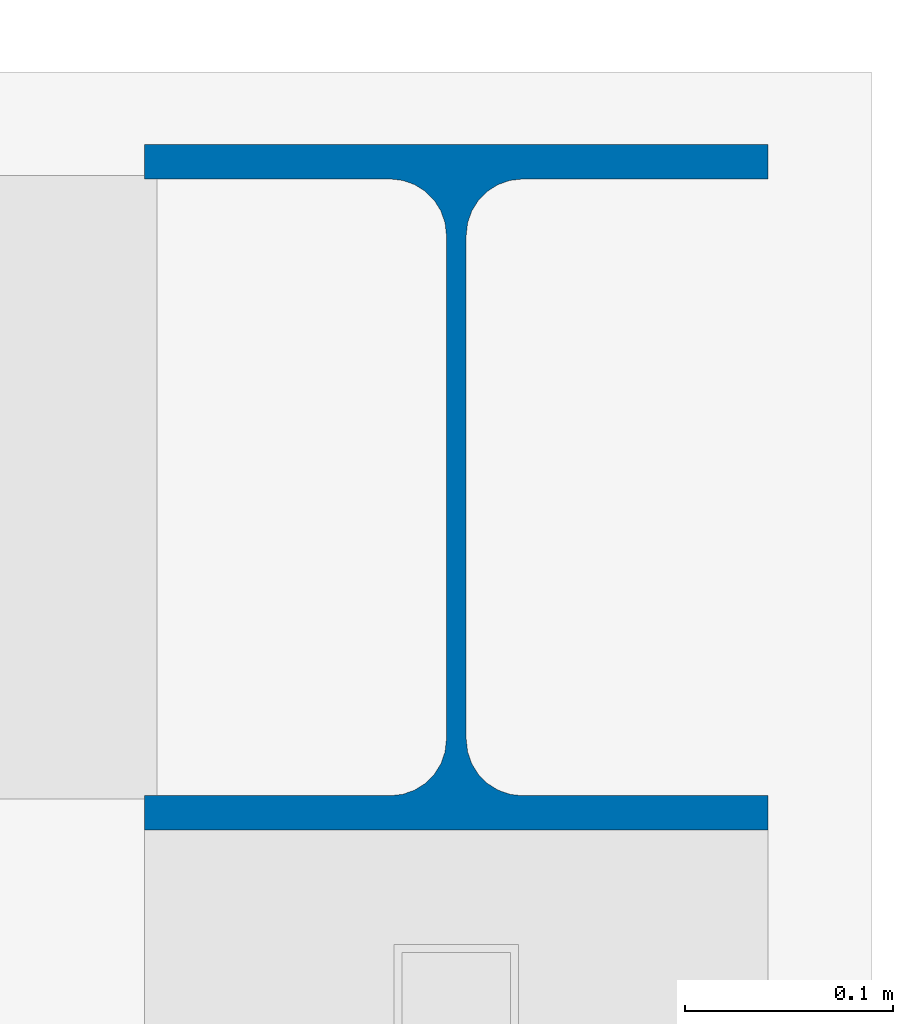
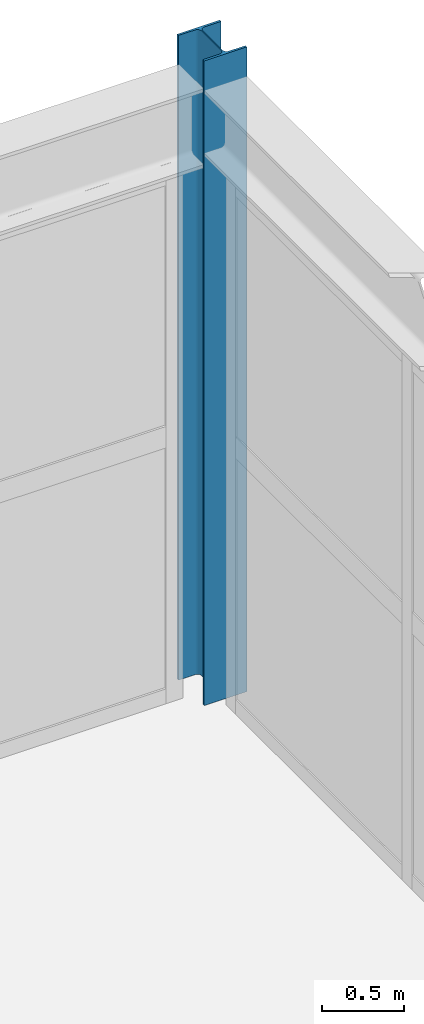
# One storey, part 10 of 112: 1 column.
"""IFC4 building model written with IfcOpenShell, lengths in metres."""

import ifcopenshell
import ifcopenshell.guid

model = None  # the IFC model being written
_history = None  # IfcOwnerHistory: only IFC2X3 demands one
_inside = {}  # id of a spatial element -> (the spatial element, [elements in it])
_under = {}  # id of a project, library or spatial element -> (it, [spatial elements below it])
_declared = {}  # id of a project -> (the project, [libraries it declares])
_typed = {}  # id of a type object -> (the type object, [elements of that type])
_made_of = {}  # id of a material, layer set ... -> (it, [elements and type objects made of it])


def new_model(schema):
    """Start an empty IFC model of exactly this schema.

    Asked for "IFC4X3", IfcOpenShell would pick the latest addendum, in which some entities
    have other attributes; the version numbers below select the first issue.
    IFC2X3 requires an IfcOwnerHistory on every rooted entity: one is made here for all.
    """
    global model, _history
    if schema == "IFC4X3":
        model = ifcopenshell.file(schema_version=(4, 3, 0, 0))
    else:
        model = ifcopenshell.file(schema=schema)
    _inside.clear()
    _under.clear()
    _declared.clear()
    _typed.clear()
    _made_of.clear()
    _history = None
    if model.schema == "IFC2X3":
        org = make("IfcOrganization", Name="unknown")
        user = make(
            "IfcPersonAndOrganization",
            ThePerson=make("IfcPerson", FamilyName="unknown"),
            TheOrganization=org,
        )
        app = make(
            "IfcApplication",
            ApplicationDeveloper=org,
            Version="unknown",
            ApplicationFullName="unknown",
            ApplicationIdentifier="unknown",
        )
        _history = make(
            "IfcOwnerHistory",
            OwningUser=user,
            OwningApplication=app,
            ChangeAction="ADDED",
            CreationDate=0,
        )
    return model


def make(cls, **values):
    """One entity of the class cls with the attributes given. An attribute that is None is left unset."""
    return model.create_entity(
        cls, **{name: value for name, value in values.items() if value is not None}
    )


def rooted(cls, **values):
    """An entity with a GlobalId (a new one), such as an element, a storey or a relation."""
    return make(cls, GlobalId=ifcopenshell.guid.new(), OwnerHistory=_history, **values)


def si_unit(unit_type, name, prefix=None):
    """IfcSIUnit, for example si_unit("LENGTHUNIT", "METRE", prefix="MILLI")."""
    return make("IfcSIUnit", UnitType=unit_type, Prefix=prefix, Name=name)


def assignment(units):
    """IfcUnitAssignment: the units of a project."""
    return None if units is None else make("IfcUnitAssignment", Units=units)


def point(xyz):
    """IfcCartesianPoint."""
    return None if xyz is None else make("IfcCartesianPoint", Coordinates=xyz)


def direction(xyz):
    """IfcDirection."""
    return None if xyz is None else make("IfcDirection", DirectionRatios=xyz)


def frame(location, z_axis=None, x_axis=None):
    """IfcAxis2Placement3D, a coordinate frame: its origin and axes. An axis left out is left unset."""
    return make(
        "IfcAxis2Placement3D",
        Location=point(location),
        Axis=direction(z_axis),
        RefDirection=direction(x_axis),
    )


def frame_2d(location, x_axis=None):
    """IfcAxis2Placement2D, a coordinate frame in the plane: its origin and x axis."""
    return make(
        "IfcAxis2Placement2D", Location=point(location), RefDirection=direction(x_axis)
    )


def origin():
    """The frame at (0, 0, 0) with its axes left unset."""
    return frame((0.0, 0.0, 0.0))


def origin_2d():
    """The frame at (0, 0) in the plane with its x axis left unset."""
    return frame_2d((0.0, 0.0))


def place(relative_to, where):
    """IfcLocalPlacement: puts the frame where relative to a parent placement (None: the world)."""
    return make(
        "IfcLocalPlacement", PlacementRelTo=relative_to, RelativePlacement=where
    )


def context(
    kind, dimensions, precision=None, world=None, true_north=None, identifier=None
):
    """IfcGeometricRepresentationContext, for example the 3D "Model" context."""
    return make(
        "IfcGeometricRepresentationContext",
        ContextIdentifier=identifier,
        ContextType=kind,
        CoordinateSpaceDimension=dimensions,
        Precision=precision,
        WorldCoordinateSystem=world,
        TrueNorth=true_north,
    )


def subcontext(parent, identifier, kind, view, scale=None):
    """IfcGeometricRepresentationSubContext, for example "Body" below "Model"."""
    return make(
        "IfcGeometricRepresentationSubContext",
        ContextIdentifier=identifier,
        ContextType=kind,
        ParentContext=parent,
        TargetScale=scale,
        TargetView=view,
    )


def project(units=None, contexts=None):
    """IfcProject with its units and contexts."""
    return rooted(
        "IfcProject",
        Name="project",
        RepresentationContexts=contexts,
        UnitsInContext=assignment(units),
    )


def spatial(cls, under=None, at=None, **own):
    """A site, building, storey or space (cls), placed at a placement, below another one or the project."""
    s = rooted(cls, ObjectPlacement=at, **own)
    if under is not None:
        _under.setdefault(under.id(), (under, []))[1].append(s)
    return s


def profile(cls, at=None, kind="AREA", **sizes):
    """A parametric profile (cls). Its sizes go by their IFC names, for example OverallWidth=200.0."""
    return make(cls, ProfileType=kind, Position=at, **sizes)


def i_section(**sizes):
    """IfcIShapeProfileDef."""
    return profile("IfcIShapeProfileDef", **sizes)


def extrude(swept, where, along, depth):
    """IfcExtrudedAreaSolid: the profile swept, set in the frame where, extruded along a direction by depth."""
    return make(
        "IfcExtrudedAreaSolid",
        SweptArea=swept,
        Position=where,
        ExtrudedDirection=direction(along),
        Depth=depth,
    )


def shape(context_of_items, identifier, shape_type, items):
    """IfcShapeRepresentation: the items that make up one representation, for example the "Body"."""
    return make(
        "IfcShapeRepresentation",
        ContextOfItems=context_of_items,
        RepresentationIdentifier=identifier,
        RepresentationType=shape_type,
        Items=items,
    )


def material(Name=None, Category=None):
    """IfcMaterial."""
    return make("IfcMaterial", Name=Name, Category=Category)


def material_profile(
    of_material, cross_section, Name=None, Category=None, Priority=None
):
    """IfcMaterialProfile: a cross section and its material."""
    return make(
        "IfcMaterialProfile",
        Name=Name,
        Material=of_material,
        Profile=cross_section,
        Priority=Priority,
        Category=Category,
    )


def profile_set(profiles, Name=None, composite=None):
    """IfcMaterialProfileSet."""
    return make(
        "IfcMaterialProfileSet",
        Name=Name,
        MaterialProfiles=profiles,
        CompositeProfile=composite,
    )


def made_of(thing, what):
    """Note that an element or type object is made of a material, layer set ...; save() writes the relation."""
    if what is not None:
        _made_of.setdefault(what.id(), (what, []))[1].append(thing)
    return thing


def type_object(cls, material=None, **own):
    """A type object (cls), such as IfcWallType, which elements share."""
    return made_of(rooted(cls, **own), material)


def element(
    cls,
    number,
    at=None,
    inside=None,
    cuts=None,
    type_object=None,
    material=None,
    context=None,
    identifier="Body",
    shape_type=None,
    held_by="IfcProductDefinitionShape",
    body=None,
    shapes=None,
    **own,
):
    """One element of the class cls, such as IfcWall. Its Tag is "e" and its number.

    at: its placement. inside: the storey or other place that contains it. cuts: it is an
    opening in that element (IfcRelVoidsElement). A single representation is given by context,
    identifier, shape_type and body (its items); several are given by shapes. held_by: the class
    of the entity that holds the representations. save() writes the other relations.
    """
    e = rooted(cls, Tag="e%d" % number, ObjectPlacement=at, **own)
    if body is not None:
        shapes = [shape(context, identifier, shape_type, body)]
    if shapes is not None:
        e.Representation = make(held_by, Representations=shapes)
    if inside is not None:
        _inside.setdefault(inside.id(), (inside, []))[1].append(e)
    if cuts is not None:
        rooted(
            "IfcRelVoidsElement", RelatingBuildingElement=cuts, RelatedOpeningElement=e
        )
    if type_object is not None:
        _typed.setdefault(type_object.id(), (type_object, []))[1].append(e)
    return made_of(e, material)


def aggregate(whole, parts):
    """IfcRelAggregates: a whole, such as a stair, and the parts it consists of."""
    return rooted("IfcRelAggregates", RelatingObject=whole, RelatedObjects=parts)


def save(model, path):
    """Write the relations noted so far, then the file.

    IfcRelAggregates (storeys below a building ...), IfcRelContainedInSpatialStructure (elements
    in a storey), IfcRelDefinesByType, IfcRelAssociatesMaterial and IfcRelDeclares: one each for
    every whole, place, type object, material and project.
    """
    for whole, parts in _under.values():
        aggregate(whole, parts)
    for where, things in _inside.values():
        rooted(
            "IfcRelContainedInSpatialStructure",
            RelatedElements=things,
            RelatingStructure=where,
        )
    for kind, things in _typed.values():
        rooted("IfcRelDefinesByType", RelatedObjects=things, RelatingType=kind)
    for what, things in _made_of.values():
        rooted("IfcRelAssociatesMaterial", RelatedObjects=things, RelatingMaterial=what)
    for by, libraries in _declared.values():
        rooted("IfcRelDeclares", RelatingContext=by, RelatedDefinitions=libraries)
    model.write(path)


model = new_model("IFC4")

# Units and contexts
model_context = context("Model", 3, precision=1e-05, world=origin(), true_north=direction((0.0, 1.0)))
body_context = subcontext(model_context, "Body", "Model", "MODEL_VIEW")
ifc_project = project(units=[si_unit("LENGTHUNIT", "METRE"), si_unit("AREAUNIT", "SQUARE_METRE"), si_unit("VOLUMEUNIT", "CUBIC_METRE"), si_unit("PLANEANGLEUNIT", "RADIAN"), si_unit("MASSUNIT", "GRAM", prefix="KILO")], contexts=[model_context])

# Site, building, storey
site_placement = place(None, origin())
site = spatial("IfcSite", under=ifc_project, at=site_placement, CompositionType="ELEMENT")
building_placement = place(site_placement, origin())
building = spatial("IfcBuilding", under=site, at=building_placement, Name="Kaldris Quays Convention Centre", CompositionType="ELEMENT")
storey_placement = place(building_placement, frame((0.0, 0.0, 16.800048828125)))
storey = spatial("IfcBuildingStorey", under=building, at=storey_placement, Name="L03", CompositionType="ELEMENT", Elevation=16.800048828125)

# Column
ifc_material = material(Name="Steel S355J2", Category="steel")
ifc_material_profile = material_profile(ifc_material, i_section(OverallWidth=0.300048828125, OverallDepth=0.330078125, WebThickness=0.009521484375, FlangeThickness=0.0166015625, FilletRadius=0.027099609375, at=origin_2d()), Name="HEA 340")
ifc_profile_set = profile_set([ifc_material_profile], Name="Steel S355J2")
column_type = type_object("IfcColumnType", Name="STRUCTURAL COLUMN CL16", PredefinedType="COLUMN", material=ifc_profile_set)
column_placement = place(storey_placement, frame((194.0, 116.0, 0.0), z_axis=(0.0, 0.0, 1.0), x_axis=(1.0, 0.0, 0.0)))
element("IfcColumn", 1, at=column_placement, inside=storey, type_object=column_type, Name="L03 V4 Column CL16 (194.00, 116.00)", PredefinedType="COLUMN", context=body_context, shape_type="SweptSolid", body=[
    extrude(i_section(OverallWidth=0.300048828125, OverallDepth=0.330078125, WebThickness=0.009521484375, FlangeThickness=0.0166015625, FilletRadius=0.027099609375, at=origin_2d()), origin(), (0.0, 0.0, 1.0), 4.800048828125),
])

save(model, "model.ifc")
